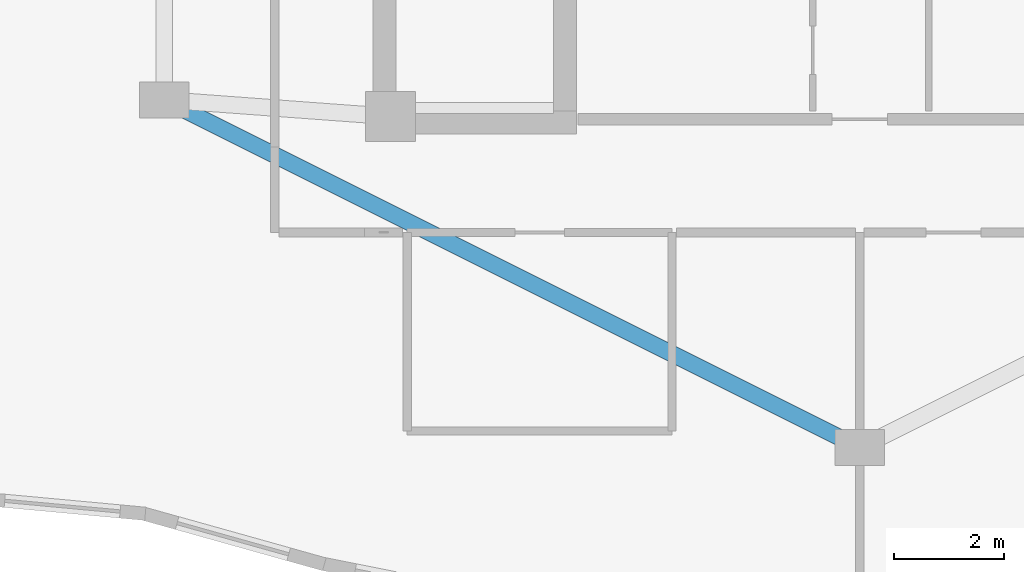
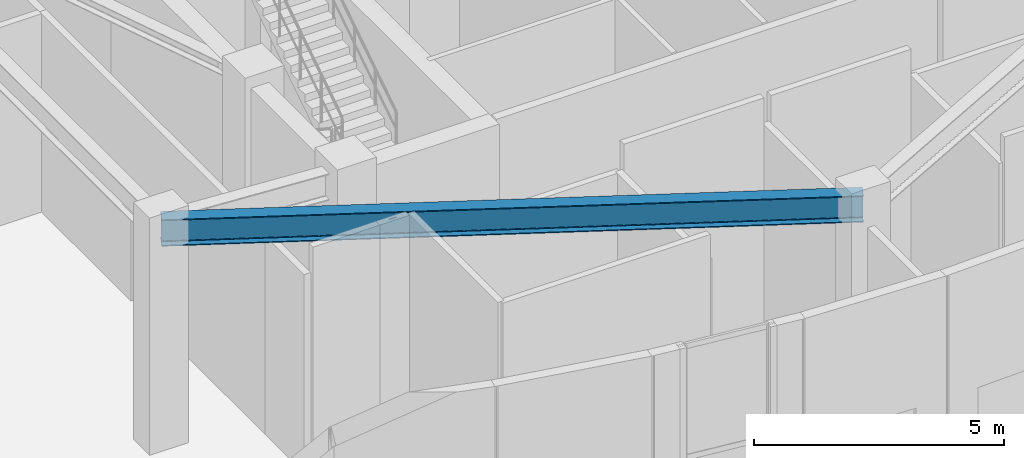
# One storey, part 3 of 16: 1 beam.
"""IFC4 building model written with IfcOpenShell, lengths in metres."""

from ifc_helpers import new_model, si_unit, direction, frame, origin, origin_2d, place, context, subcontext, project, spatial, i_section, extrude, material, material_profile, profile_set, type_object, element, save


model = new_model("IFC4")

# Units and contexts
model_context = context("Model", 3, precision=1e-05, world=origin(), true_north=direction((0.0, 1.0)))
body_context = subcontext(model_context, "Body", "Model", "MODEL_VIEW")
ifc_project = project(units=[si_unit("LENGTHUNIT", "METRE"), si_unit("AREAUNIT", "SQUARE_METRE"), si_unit("VOLUMEUNIT", "CUBIC_METRE"), si_unit("PLANEANGLEUNIT", "RADIAN"), si_unit("MASSUNIT", "GRAM", prefix="KILO")], contexts=[model_context])

# Site, building, storey
site_placement = place(None, origin())
site = spatial("IfcSite", under=ifc_project, at=site_placement, CompositionType="ELEMENT")
building_placement = place(site_placement, origin())
building = spatial("IfcBuilding", under=site, at=building_placement, Name="Miruveldt Soraemaru", CompositionType="ELEMENT")
storey_placement = place(building_placement, frame((0.0, 0.0, 289.60009765625)))
storey = spatial("IfcBuildingStorey", under=building, at=storey_placement, Name="L78", CompositionType="ELEMENT", Elevation=289.60009765625)

# Beam
ifc_material = material(Name="Steel SM355 (355 MPa)", Category="steel")
ifc_material_profile = material_profile(ifc_material, i_section(OverallWidth=0.300048828125, OverallDepth=0.64990234375, WebThickness=0.012939453125, FlangeThickness=0.02197265625, FilletRadius=0.02587890625, at=origin_2d()), Name="Steel SM355 (355 MPa)", Category="steel")
ifc_profile_set = profile_set([ifc_material_profile], Name="Steel SM355 (355 MPa)")
beam_type = type_object("IfcBeamType", Name="BM-ST-H650", PredefinedType="BEAM", material=ifc_profile_set)
beam_placement = place(storey_placement, frame((44.0, 29.5, 5.184814453125), z_axis=(-0.894427191, 0.4472135955, 0.0), x_axis=(-0.4472135955, -0.894427191, 0.0)))
element("IfcBeam", 1, at=beam_placement, inside=storey, type_object=beam_type, Name="L78 Inner Ring Girder 4", PredefinedType="BEAM", context=body_context, shape_type="SweptSolid", body=[
    extrude(i_section(OverallWidth=0.300048828125, OverallDepth=0.64990234375, WebThickness=0.012939453125, FlangeThickness=0.02197265625, FilletRadius=0.02587890625, at=origin_2d()), origin(), (0.0, 0.0, 1.0), 14.08740234375),
])

save(model, "model.ifc")
